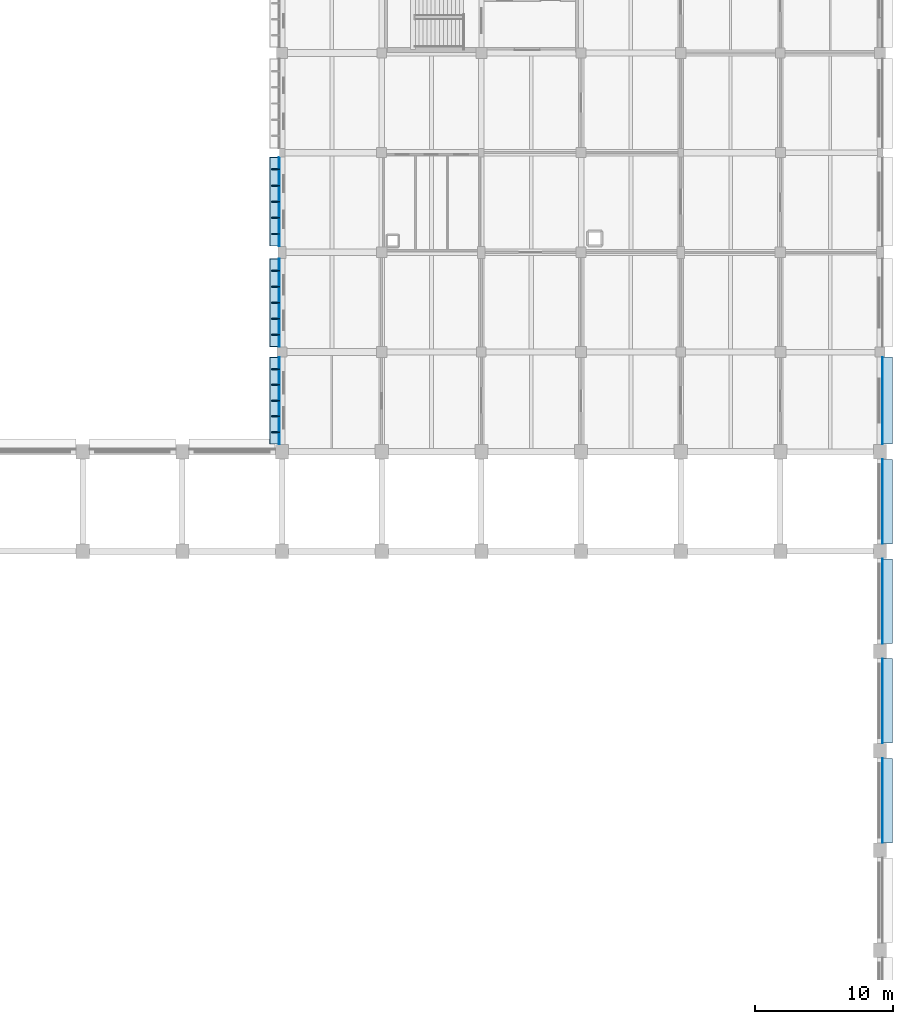
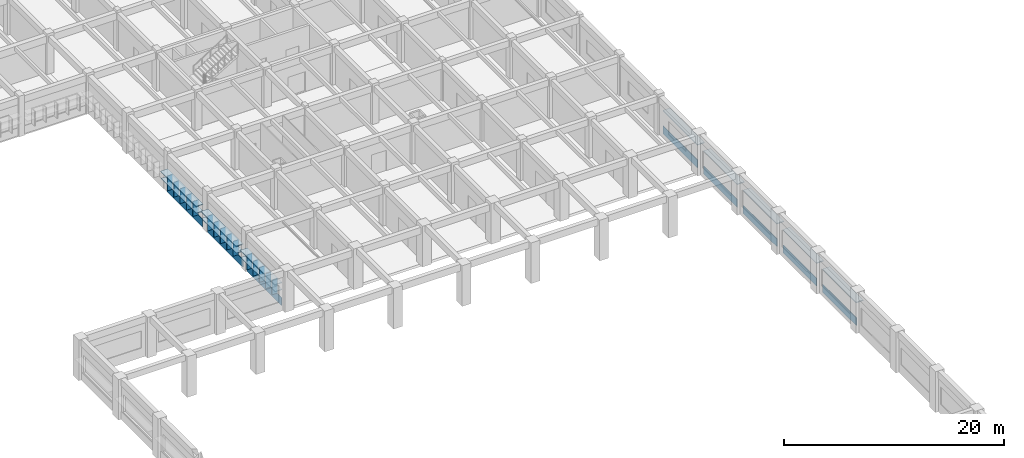
# One storey, part 31 of 61: 34 plates.
"""IFC4 building model written with IfcOpenShell, lengths in metres."""

from ifc_helpers import new_model, si_unit, direction, frame, origin, origin_2d, place, context, subcontext, project, spatial, rectangle, extrude, material, layer, layer_set, type_object, element, save


model = new_model("IFC4")

# Units and contexts
model_context = context("Model", 3, precision=1e-05, world=origin(), true_north=direction((0.0, 1.0)))
body_context = subcontext(model_context, "Body", "Model", "MODEL_VIEW")
ifc_project = project(units=[si_unit("LENGTHUNIT", "METRE"), si_unit("AREAUNIT", "SQUARE_METRE"), si_unit("VOLUMEUNIT", "CUBIC_METRE"), si_unit("PLANEANGLEUNIT", "RADIAN"), si_unit("MASSUNIT", "GRAM", prefix="KILO")], contexts=[model_context])

# Site, building, storey
site_placement = place(None, origin())
site = spatial("IfcSite", under=ifc_project, at=site_placement, CompositionType="ELEMENT")
building_placement = place(site_placement, origin())
building = spatial("IfcBuilding", under=site, at=building_placement, Name="Thalmaran Polytechnic", CompositionType="ELEMENT")
storey_placement = place(building_placement, frame((0.0, 0.0, 9.89990234375)))
storey = spatial("IfcBuildingStorey", under=building, at=storey_placement, Name="L02", CompositionType="ELEMENT", Elevation=9.89990234375)

# Plates
ifc_material_1 = material(Name="Anodised aluminium spandrel band", Category="aluminium")
ifc_layer_1 = layer(ifc_material_1, 0.054931640625, Name="Anodised aluminium spandrel band")
ifc_layer_set_1 = layer_set([ifc_layer_1], Name="Anodised aluminium spandrel band")
plate_type_1 = type_object("IfcPlateType", Name="PT-BD01", PredefinedType="SHEET", material=ifc_layer_set_1)
plate_1_placement = place(storey_placement, frame((172.97998046875, 61.28759765625, 0.020263671875), z_axis=(0.0, 0.0, 1.0), x_axis=(0.0, -1.0, 0.0)))
element("IfcPlate", 1, at=plate_1_placement, inside=storey, type_object=plate_type_1, Name="Streamline Horizontal Spandrel Band L02-060", PredefinedType="SHEET", context=body_context, shape_type="SweptSolid", body=[
    extrude(rectangle(XDim=6.284912109375, YDim=0.054931640625, at=origin_2d()), origin(), (0.0, 0.0, 1.0), 0.8798828125),
])
for number, where, z_axis, x_axis, name in (
    (2, (172.97998046875, 54.0, 0.020263671875), (0.0, 0.0, 1.0), (0.0, -1.0, 0.0), "Streamline Horizontal Spandrel Band L02-061"),
    (3, (172.97998046875, 46.800048828125, 0.020263671875), (0.0, 0.0, 1.0), (0.0, -1.0, 0.0), "Streamline Horizontal Spandrel Band L02-062"),
    (4, (172.97998046875, 39.60009765625, 0.020263671875), (0.0, 0.0, 1.0), (0.0, -1.0, 0.0), "Streamline Horizontal Spandrel Band L02-063"),
    (5, (172.97998046875, 32.39990234375, 0.020263671875), (0.0, 0.0, 1.0), (0.0, -1.0, 0.0), "Streamline Horizontal Spandrel Band L02-064"),
):
    element("IfcPlate", number, at=place(storey_placement, frame(where, z_axis=z_axis, x_axis=x_axis)), inside=storey, type_object=plate_type_1, Name=name, PredefinedType="SHEET", context=body_context, shape_type="SweptSolid", body=[
        extrude(rectangle(XDim=6.110107421875, YDim=0.054931640625, at=origin_2d()), origin(), (0.0, 0.0, 1.0), 0.8798828125),
    ])
plate_2_placement = place(storey_placement, frame((129.405029296875, 61.28759765625, 0.020263671875), z_axis=(0.0, 0.0, 1.0), x_axis=(0.0, 1.0, 0.0)))
element("IfcPlate", 6, at=plate_2_placement, inside=storey, type_object=plate_type_1, Name="Streamline Horizontal Spandrel Band L02-159", PredefinedType="SHEET", context=body_context, shape_type="SweptSolid", body=[
    extrude(rectangle(XDim=6.284912109375, YDim=0.054931640625, at=origin_2d()), origin(), (0.0, 0.0, 1.0), 0.8798828125),
])
plate_3_placement = place(storey_placement, frame((129.405029296875, 68.362548828125, 0.020263671875), z_axis=(0.0, 0.0, 1.0), x_axis=(0.0, 1.0, 0.0)))
element("IfcPlate", 7, at=plate_3_placement, inside=storey, type_object=plate_type_1, Name="Streamline Horizontal Spandrel Band L02-160", PredefinedType="SHEET", context=body_context, shape_type="SweptSolid", body=[
    extrude(rectangle(XDim=6.385009765625, YDim=0.054931640625, at=origin_2d()), origin(), (0.0, 0.0, 1.0), 0.8798828125),
])
plate_4_placement = place(storey_placement, frame((129.405029296875, 75.66259765625, 0.020263671875), z_axis=(0.0, 0.0, 1.0), x_axis=(0.0, 1.0, 0.0)))
element("IfcPlate", 8, at=plate_4_placement, inside=storey, type_object=plate_type_1, Name="Streamline Horizontal Spandrel Band L02-161", PredefinedType="SHEET", context=body_context, shape_type="SweptSolid", body=[
    extrude(rectangle(XDim=6.43505859375, YDim=0.054931640625, at=origin_2d()), origin(), (0.0, 0.0, 1.0), 0.8798828125),
])
ifc_material_2 = material(Name="Anodised aluminium sun-hood eyebrow", Category="aluminium")
ifc_layer_2 = layer(ifc_material_2, 0.0849609375, Name="Anodised aluminium sun-hood eyebrow")
ifc_layer_set_2 = layer_set([ifc_layer_2], Name="Anodised aluminium sun-hood eyebrow")
plate_type_2 = type_object("IfcPlateType", Name="PT-EB01", PredefinedType="SHEET", material=ifc_layer_set_2)
plate_5_placement = place(storey_placement, frame((173.324951171875, 61.28759765625, 2.517578125), z_axis=(0.0, 0.0, 1.0), x_axis=(0.0, -1.0, 0.0)))
element("IfcPlate", 9, at=plate_5_placement, inside=storey, type_object=plate_type_2, Name="Streamline Sun-Hood Eyebrow L02-060", PredefinedType="SHEET", context=body_context, shape_type="SweptSolid", body=[
    extrude(rectangle(XDim=6.284912109375, YDim=0.760009765625, at=origin_2d()), origin(), (0.0, 0.0, 1.0), 0.0849609375),
])
for number, where, z_axis, x_axis, name in (
    (10, (173.324951171875, 54.0, 2.517578125), (0.0, 0.0, 1.0), (0.0, -1.0, 0.0), "Streamline Sun-Hood Eyebrow L02-061"),
    (11, (173.324951171875, 46.800048828125, 2.517578125), (0.0, 0.0, 1.0), (0.0, -1.0, 0.0), "Streamline Sun-Hood Eyebrow L02-062"),
    (12, (173.324951171875, 39.60009765625, 2.517578125), (0.0, 0.0, 1.0), (0.0, -1.0, 0.0), "Streamline Sun-Hood Eyebrow L02-063"),
    (13, (173.324951171875, 32.39990234375, 2.517578125), (0.0, 0.0, 1.0), (0.0, -1.0, 0.0), "Streamline Sun-Hood Eyebrow L02-064"),
):
    element("IfcPlate", number, at=place(storey_placement, frame(where, z_axis=z_axis, x_axis=x_axis)), inside=storey, type_object=plate_type_2, Name=name, PredefinedType="SHEET", context=body_context, shape_type="SweptSolid", body=[
        extrude(rectangle(XDim=6.110107421875, YDim=0.760009765625, at=origin_2d()), origin(), (0.0, 0.0, 1.0), 0.0849609375),
    ])
plate_6_placement = place(storey_placement, frame((129.06005859375, 61.28759765625, 2.517578125), z_axis=(0.0, 0.0, 1.0), x_axis=(0.0, 1.0, 0.0)))
element("IfcPlate", 14, at=plate_6_placement, inside=storey, type_object=plate_type_2, Name="Streamline Sun-Hood Eyebrow L02-159", PredefinedType="SHEET", context=body_context, shape_type="SweptSolid", body=[
    extrude(rectangle(XDim=6.284912109375, YDim=0.760009765625, at=origin_2d()), origin(), (0.0, 0.0, 1.0), 0.0849609375),
])
plate_7_placement = place(storey_placement, frame((129.080078125, 61.28759765625, 1.74267578125), z_axis=(0.0, 0.0, 1.0), x_axis=(0.0, 1.0, 0.0)))
element("IfcPlate", 15, at=plate_7_placement, inside=storey, type_object=plate_type_2, Name="Abu Dhabi Horizontal Solar Louvre L02-159", PredefinedType="SHEET", context=body_context, shape_type="SweptSolid", body=[
    extrude(rectangle(XDim=6.2451171875, YDim=0.719970703125, at=origin_2d()), origin(), (0.0, 0.0, 1.0), 0.074951171875),
])
plate_8_placement = place(storey_placement, frame((129.06005859375, 68.362548828125, 2.517578125), z_axis=(0.0, 0.0, 1.0), x_axis=(0.0, 1.0, 0.0)))
element("IfcPlate", 16, at=plate_8_placement, inside=storey, type_object=plate_type_2, Name="Streamline Sun-Hood Eyebrow L02-160", PredefinedType="SHEET", context=body_context, shape_type="SweptSolid", body=[
    extrude(rectangle(XDim=6.385009765625, YDim=0.760009765625, at=origin_2d()), origin(), (0.0, 0.0, 1.0), 0.0849609375),
])
plate_9_placement = place(storey_placement, frame((129.080078125, 68.362548828125, 1.74267578125), z_axis=(0.0, 0.0, 1.0), x_axis=(0.0, 1.0, 0.0)))
element("IfcPlate", 17, at=plate_9_placement, inside=storey, type_object=plate_type_2, Name="Abu Dhabi Horizontal Solar Louvre L02-160", PredefinedType="SHEET", context=body_context, shape_type="SweptSolid", body=[
    extrude(rectangle(XDim=6.344970703125, YDim=0.719970703125, at=origin_2d()), origin(), (0.0, 0.0, 1.0), 0.074951171875),
])
plate_10_placement = place(storey_placement, frame((129.06005859375, 75.66259765625, 2.517578125), z_axis=(0.0, 0.0, 1.0), x_axis=(0.0, 1.0, 0.0)))
element("IfcPlate", 18, at=plate_10_placement, inside=storey, type_object=plate_type_2, Name="Streamline Sun-Hood Eyebrow L02-161", PredefinedType="SHEET", context=body_context, shape_type="SweptSolid", body=[
    extrude(rectangle(XDim=6.43505859375, YDim=0.760009765625, at=origin_2d()), origin(), (0.0, 0.0, 1.0), 0.0849609375),
])
plate_11_placement = place(storey_placement, frame((129.080078125, 75.66259765625, 1.74267578125), z_axis=(0.0, 0.0, 1.0), x_axis=(0.0, 1.0, 0.0)))
element("IfcPlate", 19, at=plate_11_placement, inside=storey, type_object=plate_type_2, Name="Abu Dhabi Horizontal Solar Louvre L02-161", PredefinedType="SHEET", context=body_context, shape_type="SweptSolid", body=[
    extrude(rectangle(XDim=6.39501953125, YDim=0.719970703125, at=origin_2d()), origin(), (0.0, 0.0, 1.0), 0.074951171875),
])
ifc_material_3 = material(Name="Anodised bronze brise-soleil fin")
ifc_layer_3 = layer(ifc_material_3, 0.06494140625, Name="Anodised bronze brise-soleil fin")
ifc_layer_set_3 = layer_set([ifc_layer_3], Name="Anodised bronze brise-soleil fin")
plate_type_3 = type_object("IfcPlateType", Name="PT-FN01", PredefinedType="SHEET", material=ifc_layer_set_3)
for number, where, z_axis, x_axis, name in (
    (20, (129.139892578125, 59.010498046875, 0.895263671875), (0.0, 0.0, 1.0), (0.0, 1.0, 0.0), "Abu Dhabi Solar Brise-Soleil Fin L02-159-1"),
    (21, (129.139892578125, 60.14892578125, 0.895263671875), (0.0, 0.0, 1.0), (0.0, 1.0, 0.0), "Abu Dhabi Solar Brise-Soleil Fin L02-159-2"),
    (22, (129.139892578125, 61.28759765625, 0.895263671875), (0.0, 0.0, 1.0), (0.0, 1.0, 0.0), "Abu Dhabi Solar Brise-Soleil Fin L02-159-3"),
    (23, (129.139892578125, 62.426025390625, 0.895263671875), (0.0, 0.0, 1.0), (0.0, 1.0, 0.0), "Abu Dhabi Solar Brise-Soleil Fin L02-159-4"),
    (24, (129.139892578125, 63.564453125, 0.895263671875), (0.0, 0.0, 1.0), (0.0, 1.0, 0.0), "Abu Dhabi Solar Brise-Soleil Fin L02-159-5"),
    (25, (129.139892578125, 66.049560546875, 0.895263671875), (0.0, 0.0, 1.0), (0.0, 1.0, 0.0), "Abu Dhabi Solar Brise-Soleil Fin L02-160-1"),
    (26, (129.139892578125, 67.2060546875, 0.895263671875), (0.0, 0.0, 1.0), (0.0, 1.0, 0.0), "Abu Dhabi Solar Brise-Soleil Fin L02-160-2"),
    (27, (129.139892578125, 68.362548828125, 0.895263671875), (0.0, 0.0, 1.0), (0.0, 1.0, 0.0), "Abu Dhabi Solar Brise-Soleil Fin L02-160-3"),
    (28, (129.139892578125, 69.51904296875, 0.895263671875), (0.0, 0.0, 1.0), (0.0, 1.0, 0.0), "Abu Dhabi Solar Brise-Soleil Fin L02-160-4"),
    (29, (129.139892578125, 70.675537109375, 0.895263671875), (0.0, 0.0, 1.0), (0.0, 1.0, 0.0), "Abu Dhabi Solar Brise-Soleil Fin L02-160-5"),
    (30, (129.139892578125, 73.33154296875, 0.895263671875), (0.0, 0.0, 1.0), (0.0, 1.0, 0.0), "Abu Dhabi Solar Brise-Soleil Fin L02-161-1"),
    (31, (129.139892578125, 74.4970703125, 0.895263671875), (0.0, 0.0, 1.0), (0.0, 1.0, 0.0), "Abu Dhabi Solar Brise-Soleil Fin L02-161-2"),
    (32, (129.139892578125, 75.66259765625, 0.895263671875), (0.0, 0.0, 1.0), (0.0, 1.0, 0.0), "Abu Dhabi Solar Brise-Soleil Fin L02-161-3"),
    (33, (129.139892578125, 76.827880859375, 0.895263671875), (0.0, 0.0, 1.0), (0.0, 1.0, 0.0), "Abu Dhabi Solar Brise-Soleil Fin L02-161-4"),
    (34, (129.139892578125, 77.993408203125, 0.895263671875), (0.0, 0.0, 1.0), (0.0, 1.0, 0.0), "Abu Dhabi Solar Brise-Soleil Fin L02-161-5"),
):
    element("IfcPlate", number, at=place(storey_placement, frame(where, z_axis=z_axis, x_axis=x_axis)), inside=storey, type_object=plate_type_3, Name=name, PredefinedType="SHEET", context=body_context, shape_type="SweptSolid", body=[
        extrude(rectangle(XDim=0.06494140625, YDim=0.56005859375, at=origin_2d()), origin(), (0.0, 0.0, 1.0), 1.64990234375),
    ])

save(model, "model.ifc")
